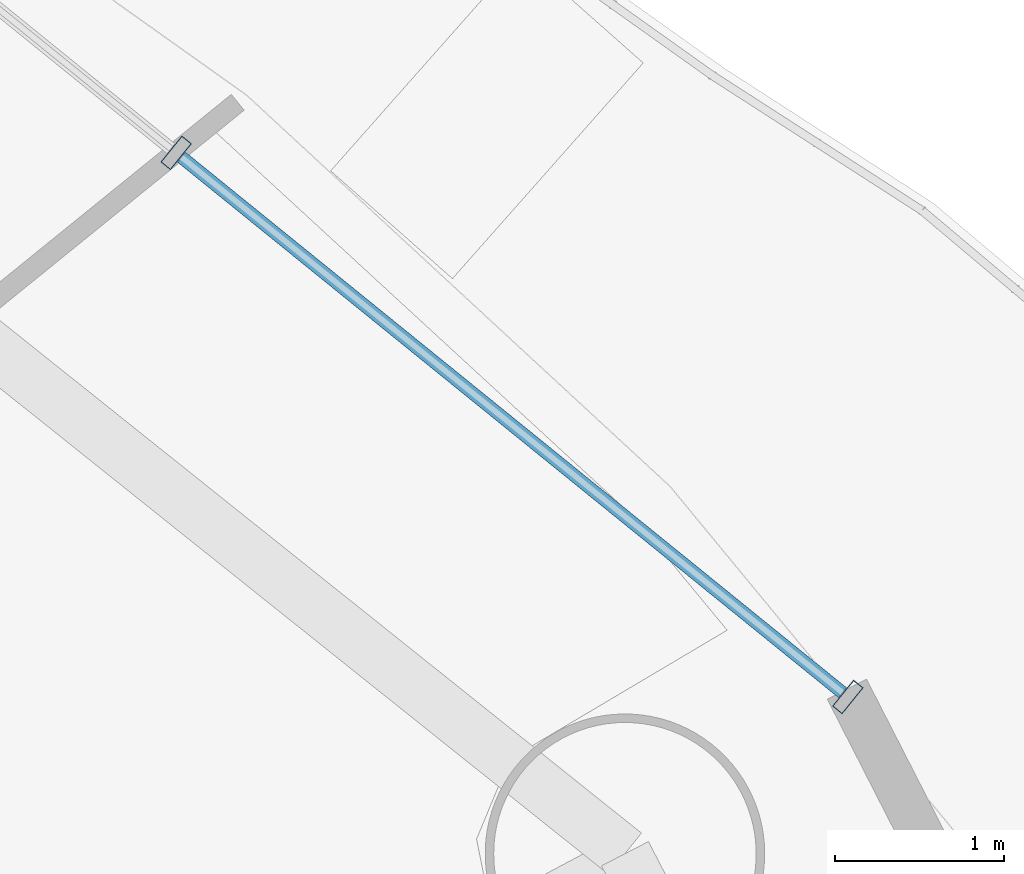
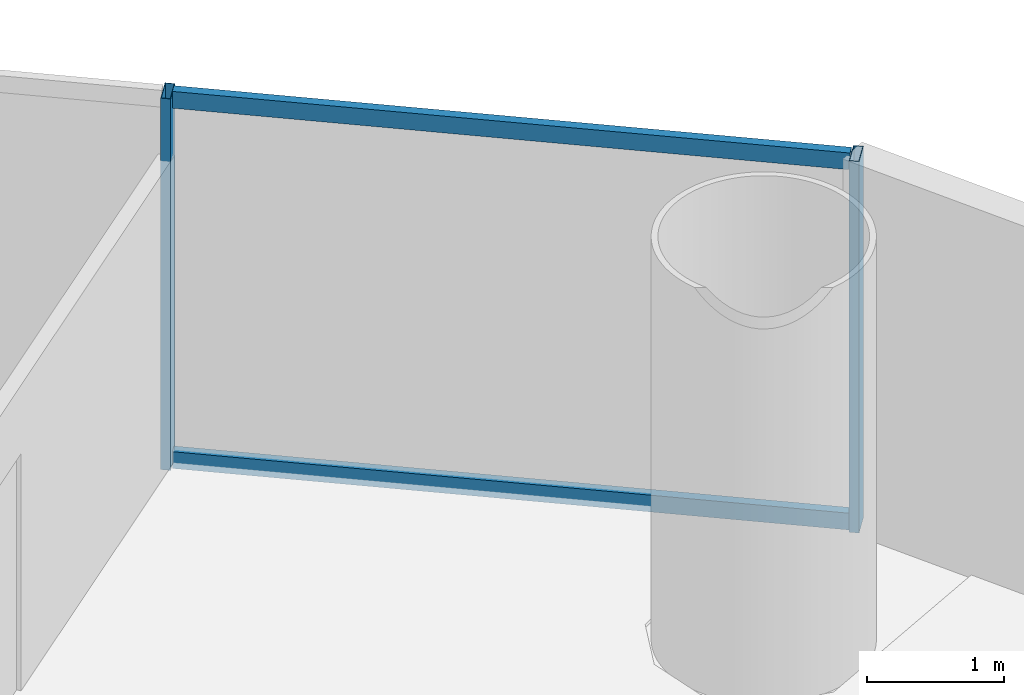
# One storey, part 19 of 28: 4 members, 1 element without a shape of its own.
"""IFC4 building model written with IfcOpenShell, lengths in metres."""

from ifc_helpers import new_model, si_unit, direction, frame, origin, origin_2d, place, context, subcontext, project, spatial, hollow_rectangle, extrude, source, transform, mapped, material, material_profile, profile_set, type_object, element, aggregate, save


model = new_model("IFC4")

# Units and contexts
model_context = context("Model", 3, precision=1e-05, world=origin(), true_north=direction((-0.2419218956, 0.970295726276)))
body_context = subcontext(model_context, "Body", "Model", "MODEL_VIEW")
ifc_project = project(units=[si_unit("LENGTHUNIT", "METRE"), si_unit("AREAUNIT", "SQUARE_METRE"), si_unit("VOLUMEUNIT", "CUBIC_METRE"), si_unit("PLANEANGLEUNIT", "RADIAN"), si_unit("MASSUNIT", "GRAM", prefix="KILO")], contexts=[model_context])

# Site, building, storey
site_placement = place(None, origin())
site = spatial("IfcSite", under=ifc_project, at=site_placement, CompositionType="ELEMENT")
building_placement = place(site_placement, origin())
building = spatial("IfcBuilding", under=site, at=building_placement, Name="Cobrevalo Terracotta Tower", CompositionType="ELEMENT")
storey_placement = place(building_placement, frame((0.0, 0.0, 38.39990234375)))
storey = spatial("IfcBuildingStorey", under=building, at=storey_placement, Name="L09", CompositionType="ELEMENT", Elevation=38.39990234375)

# Curtain wall, members
ifc_material = material(Name="Anodized aluminium", Category="aluminium")
curtain_wall_type = type_object("IfcCurtainWallType", Name="Lower-tower unitised acoustic low-E curtain wall CW-U1", PredefinedType="NOTDEFINED", material=ifc_material)
curtain_wall_placement = place(storey_placement, origin())
curtain_wall = element("IfcCurtainWall", 1, at=curtain_wall_placement, inside=storey, type_object=curtain_wall_type, Name="L09 curtain wall CW-L09-S02", PredefinedType="NOTDEFINED")
ifc_material_profile_1 = material_profile(ifc_material, hollow_rectangle(XDim=0.074951171875, YDim=0.199951171875, WallThickness=0.0048828125, at=origin_2d()), Name="CWM 75x200")
ifc_profile_set_1 = profile_set([ifc_material_profile_1], Name="Anodized aluminium")
member_type_1 = type_object("IfcMemberType", Name="Lower/mid tower unitised mullion 75x200", PredefinedType="MULLION", material=ifc_profile_set_1)
shared_shape_1 = source(origin(), body_context, "Body", "SweptSolid", [
    extrude(hollow_rectangle(XDim=0.074951171875, YDim=0.199951171875, WallThickness=0.0048828125, at=origin_2d()), origin(), (0.0, 0.0, 1.0), 3.320068359375),
])
member_1_placement = place(storey_placement, frame((62.056640625, 39.864501953125, 0.0), z_axis=(0.0, 0.0, 1.0), x_axis=(-0.777003153187, 0.629496703675, 0.0)))
member_1 = element("IfcMember", 2, at=member_1_placement, type_object=member_type_1, Name="CW-L09-S02 vertical mullion 01", PredefinedType="MULLION", context=body_context, shape_type="MappedRepresentation", body=[
    mapped(shared_shape_1, transform((0.0, 0.0, 0.0), scale=1.0)),
])
member_2_placement = place(storey_placement, frame((58.09130859375, 43.076904296875, 0.0), z_axis=(0.0, 0.0, 1.0), x_axis=(-0.777003153187, 0.629496703675, 0.0)))
member_2 = element("IfcMember", 3, at=member_2_placement, type_object=member_type_1, Name="CW-L09-S02 vertical mullion 02", PredefinedType="MULLION", context=body_context, shape_type="MappedRepresentation", body=[
    mapped(shared_shape_1, transform((0.0, 0.0, 0.0), scale=1.0)),
])
ifc_material_profile_2 = material_profile(ifc_material, hollow_rectangle(XDim=0.074951171875, YDim=0.14990234375, WallThickness=0.00439453125, at=origin_2d()), Name="CWT 75x150")
ifc_profile_set_2 = profile_set([ifc_material_profile_2], Name="Anodized aluminium")
member_type_2 = type_object("IfcMemberType", Name="Tower unitised aluminium transom 75x150", PredefinedType="USERDEFINED", material=ifc_profile_set_2)
shared_shape_2 = source(origin(), body_context, "Body", "SweptSolid", [
    extrude(hollow_rectangle(XDim=0.074951171875, YDim=0.14990234375, WallThickness=0.00439453125, at=origin_2d()), origin(), (0.0, 0.0, 1.0), 5.0234375),
])
member_3_placement = place(storey_placement, frame((62.025634765625, 39.8896484375, 0.050048828125), z_axis=(-0.777022991593, 0.629472215857, 0.0), x_axis=(-0.629472215857, -0.777022991593, 0.0)))
member_3 = element("IfcMember", 4, at=member_3_placement, type_object=member_type_2, Name="CW-L09-S02 transom B01-T1", ObjectType="TRANSOM", PredefinedType="USERDEFINED", context=body_context, shape_type="MappedRepresentation", body=[
    mapped(shared_shape_2, transform((0.0, 0.0, 0.0), scale=1.0)),
])
member_4_placement = place(storey_placement, frame((62.025634765625, 39.8896484375, 3.27001953125), z_axis=(-0.777022991593, 0.629472215857, 0.0), x_axis=(-0.629472215857, -0.777022991593, 0.0)))
member_4 = element("IfcMember", 5, at=member_4_placement, type_object=member_type_2, Name="CW-L09-S02 transom B01-T2", ObjectType="TRANSOM", PredefinedType="USERDEFINED", context=body_context, shape_type="MappedRepresentation", body=[
    mapped(shared_shape_2, transform((0.0, 0.0, 0.0), scale=1.0)),
])
aggregate(curtain_wall, [member_1, member_2, member_3, member_4])

save(model, "model.ifc")
